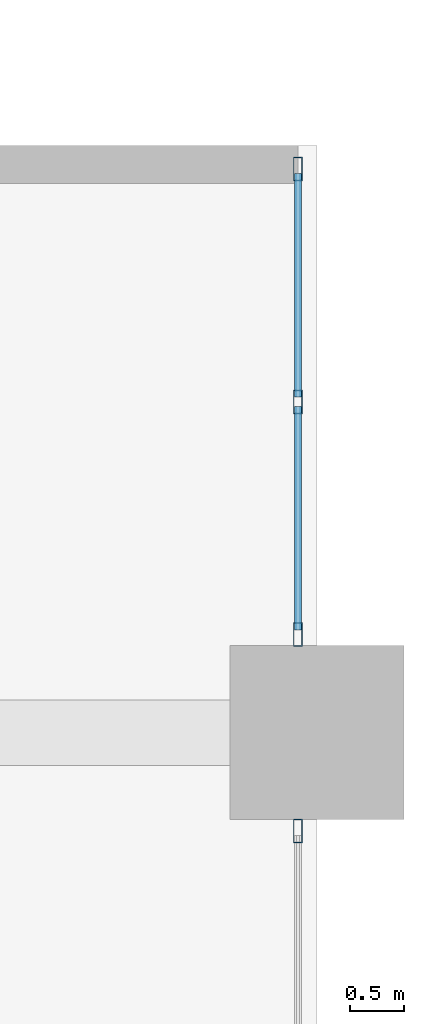
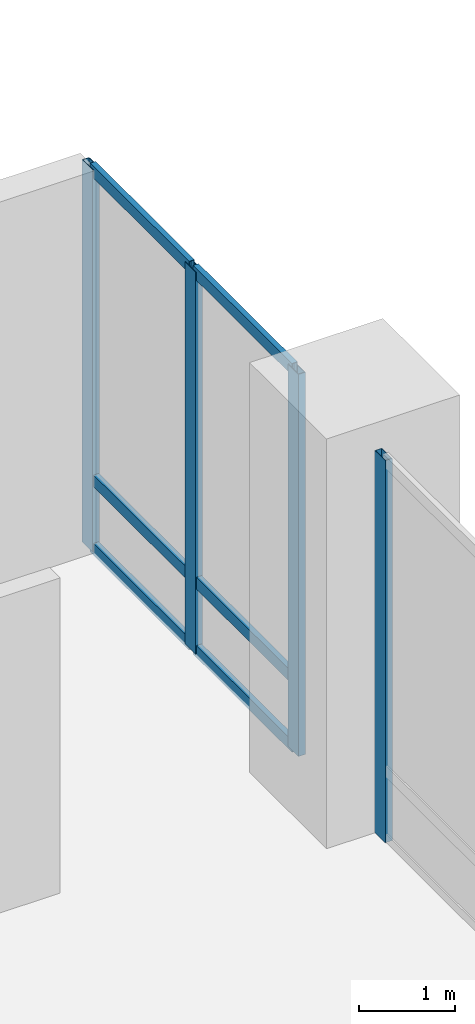
# One storey, part 7 of 19: 10 members, 2 elements without a shape of their own.
"""IFC4 building model written with IfcOpenShell, lengths in metres."""

from ifc_helpers import new_model, si_unit, direction, frame, origin, origin_2d, place, context, subcontext, project, spatial, hollow_rectangle, extrude, material, layer, layer_set, material_profile, profile_set, type_object, element, aggregate, save


model = new_model("IFC4")

# Units and contexts
model_context = context("Model", 3, precision=1e-05, world=origin(), true_north=direction((0.0, 1.0)))
body_context = subcontext(model_context, "Body", "Model", "MODEL_VIEW")
ifc_project = project(units=[si_unit("LENGTHUNIT", "METRE"), si_unit("AREAUNIT", "SQUARE_METRE"), si_unit("VOLUMEUNIT", "CUBIC_METRE"), si_unit("PLANEANGLEUNIT", "RADIAN"), si_unit("MASSUNIT", "GRAM", prefix="KILO")], contexts=[model_context])

# Site, building, storey
site_placement = place(None, origin())
site = spatial("IfcSite", under=ifc_project, at=site_placement, CompositionType="ELEMENT")
building_placement = place(site_placement, origin())
building = spatial("IfcBuilding", under=site, at=building_placement, Name="Koriwani Terraces Tower", CompositionType="ELEMENT")
storey_placement = place(building_placement, frame((0.0, 0.0, 15.60009765625)))
storey = spatial("IfcBuildingStorey", under=building, at=storey_placement, Name="L03", CompositionType="ELEMENT", Elevation=15.60009765625)

# Curtain wall, members
ifc_material = material(Name="Anodised Bronze Aluminium", Category="aluminium")
ifc_layer = layer(ifc_material, 0.199951171875, Name="Anodised Bronze Aluminium")
ifc_layer_set = layer_set([ifc_layer], Name="Anodised Bronze Aluminium")
curtain_wall_type = type_object("IfcCurtainWallType", Name="CW_PODIUM_GALLERIA", PredefinedType="NOTDEFINED", material=ifc_layer_set)
curtain_wall_1_placement = place(storey_placement, origin())
curtain_wall_1 = element("IfcCurtainWall", 1, at=curtain_wall_1_placement, inside=storey, type_object=curtain_wall_type, Name="L03 Unitised Curtain Wall (E_TIP) Bay 1", PredefinedType="NOTDEFINED")
ifc_material_profile_1 = material_profile(ifc_material, hollow_rectangle(XDim=0.0849609375, YDim=0.219970703125, WallThickness=0.008056640625, at=origin_2d()), Name="Anodised Bronze Aluminium", Category="LoadBearing")
ifc_profile_set_1 = profile_set([ifc_material_profile_1], Name="Anodised Bronze Aluminium")
member_type_1 = type_object("IfcMemberType", Name="CW_MULLION_220X85", PredefinedType="MULLION", material=ifc_profile_set_1)
member_1_placement = place(storey_placement, frame((92.22509765625, 38.782470703125, 0.0), z_axis=(0.0, 0.0, 1.0), x_axis=(1.0, 0.0, 0.0)))
member_1 = element("IfcMember", 2, at=member_1_placement, type_object=member_type_1, Name="CW-POD mullion 1", PredefinedType="MULLION", context=body_context, shape_type="SweptSolid", body=[
    extrude(hollow_rectangle(XDim=0.0849609375, YDim=0.219970703125, WallThickness=0.008056640625, at=origin_2d()), origin(), (0.0, 0.0, 1.0), 4.849853515625),
])
member_2_placement = place(storey_placement, frame((92.22509765625, 36.642578125, 0.0), z_axis=(0.0, 0.0, 1.0), x_axis=(1.0, 0.0, 0.0)))
member_2 = element("IfcMember", 3, at=member_2_placement, type_object=member_type_1, Name="CW-POD mullion 2", PredefinedType="MULLION", context=body_context, shape_type="SweptSolid", body=[
    extrude(hollow_rectangle(XDim=0.0849609375, YDim=0.219970703125, WallThickness=0.008056640625, at=origin_2d()), origin(), (0.0, 0.0, 1.0), 4.849853515625),
])
member_3_placement = place(storey_placement, frame((92.22509765625, 34.50244140625, 0.0), z_axis=(0.0, 0.0, 1.0), x_axis=(1.0, 0.0, 0.0)))
member_3 = element("IfcMember", 4, at=member_3_placement, type_object=member_type_1, Name="CW-POD mullion 3", PredefinedType="MULLION", context=body_context, shape_type="SweptSolid", body=[
    extrude(hollow_rectangle(XDim=0.0849609375, YDim=0.219970703125, WallThickness=0.008056640625, at=origin_2d()), origin(), (0.0, 0.0, 1.0), 4.849853515625),
])

# Curtain wall, member
curtain_wall_2_placement = place(storey_placement, origin())
curtain_wall_2 = element("IfcCurtainWall", 5, at=curtain_wall_2_placement, inside=storey, type_object=curtain_wall_type, Name="L03 Unitised Curtain Wall (E_TIP) Bay 2", PredefinedType="NOTDEFINED")
member_4_placement = place(storey_placement, frame((92.22509765625, 32.697509765625, 0.0), z_axis=(0.0, 0.0, 1.0), x_axis=(1.0, 0.0, 0.0)))
member_4 = element("IfcMember", 6, at=member_4_placement, type_object=member_type_1, Name="CW-POD mullion 1", PredefinedType="MULLION", context=body_context, shape_type="SweptSolid", body=[
    extrude(hollow_rectangle(XDim=0.0849609375, YDim=0.219970703125, WallThickness=0.008056640625, at=origin_2d()), origin(), (0.0, 0.0, 1.0), 4.849853515625),
])
aggregate(curtain_wall_2, [member_4])

# Member
ifc_material_profile_2 = material_profile(ifc_material, hollow_rectangle(XDim=0.06494140625, YDim=0.14990234375, WallThickness=0.0048828125, at=origin_2d()), Name="Anodised Bronze Aluminium", Category="LoadBearing")
ifc_profile_set_2 = profile_set([ifc_material_profile_2], Name="Anodised Bronze Aluminium")
member_type_2 = type_object("IfcMemberType", Name="CW_TRANSOM_150X65", PredefinedType="USERDEFINED", material=ifc_profile_set_2)
member_5_placement = place(storey_placement, frame((92.22509765625, 38.739990234375, 0.032470703125), z_axis=(0.0, -1.0, 0.0), x_axis=(1.0, 0.0, 0.0)))
member_5 = element("IfcMember", 7, at=member_5_placement, type_object=member_type_2, Name="CW-POD transom 1.1", ObjectType="TRANSOM", PredefinedType="USERDEFINED", context=body_context, shape_type="SweptSolid", body=[
    extrude(hollow_rectangle(XDim=0.06494140625, YDim=0.14990234375, WallThickness=0.0048828125, at=origin_2d()), origin(), (0.0, 0.0, 1.0), 2.054931640625),
])

member_6_placement = place(storey_placement, frame((92.22509765625, 38.739990234375, 0.89990234375), z_axis=(0.0, -1.0, 0.0), x_axis=(1.0, 0.0, 0.0)))
member_6 = element("IfcMember", 8, at=member_6_placement, type_object=member_type_2, Name="CW-POD transom 1.2", ObjectType="TRANSOM", PredefinedType="USERDEFINED", context=body_context, shape_type="SweptSolid", body=[
    extrude(hollow_rectangle(XDim=0.06494140625, YDim=0.14990234375, WallThickness=0.0048828125, at=origin_2d()), origin(), (0.0, 0.0, 1.0), 2.054931640625),
])

member_7_placement = place(storey_placement, frame((92.22509765625, 38.739990234375, 4.8173828125), z_axis=(0.0, -1.0, 0.0), x_axis=(1.0, 0.0, 0.0)))
member_7 = element("IfcMember", 9, at=member_7_placement, type_object=member_type_2, Name="CW-POD transom 1.3", ObjectType="TRANSOM", PredefinedType="USERDEFINED", context=body_context, shape_type="SweptSolid", body=[
    extrude(hollow_rectangle(XDim=0.06494140625, YDim=0.14990234375, WallThickness=0.0048828125, at=origin_2d()), origin(), (0.0, 0.0, 1.0), 2.054931640625),
])

member_8_placement = place(storey_placement, frame((92.22509765625, 36.60009765625, 0.032470703125), z_axis=(0.0, -1.0, 0.0), x_axis=(1.0, 0.0, 0.0)))
member_8 = element("IfcMember", 10, at=member_8_placement, type_object=member_type_2, Name="CW-POD transom 2.1", ObjectType="TRANSOM", PredefinedType="USERDEFINED", context=body_context, shape_type="SweptSolid", body=[
    extrude(hollow_rectangle(XDim=0.06494140625, YDim=0.14990234375, WallThickness=0.0048828125, at=origin_2d()), origin(), (0.0, 0.0, 1.0), 2.05517578125),
])

member_9_placement = place(storey_placement, frame((92.22509765625, 36.60009765625, 0.89990234375), z_axis=(0.0, -1.0, 0.0), x_axis=(1.0, 0.0, 0.0)))
member_9 = element("IfcMember", 11, at=member_9_placement, type_object=member_type_2, Name="CW-POD transom 2.2", ObjectType="TRANSOM", PredefinedType="USERDEFINED", context=body_context, shape_type="SweptSolid", body=[
    extrude(hollow_rectangle(XDim=0.06494140625, YDim=0.14990234375, WallThickness=0.0048828125, at=origin_2d()), origin(), (0.0, 0.0, 1.0), 2.05517578125),
])

member_10_placement = place(storey_placement, frame((92.22509765625, 36.60009765625, 4.8173828125), z_axis=(0.0, -1.0, 0.0), x_axis=(1.0, 0.0, 0.0)))
member_10 = element("IfcMember", 12, at=member_10_placement, type_object=member_type_2, Name="CW-POD transom 2.3", ObjectType="TRANSOM", PredefinedType="USERDEFINED", context=body_context, shape_type="SweptSolid", body=[
    extrude(hollow_rectangle(XDim=0.06494140625, YDim=0.14990234375, WallThickness=0.0048828125, at=origin_2d()), origin(), (0.0, 0.0, 1.0), 2.05517578125),
])

aggregate(curtain_wall_1, [member_1, member_2, member_3, member_5, member_6, member_7, member_8, member_9, member_10])

save(model, "model.ifc")
